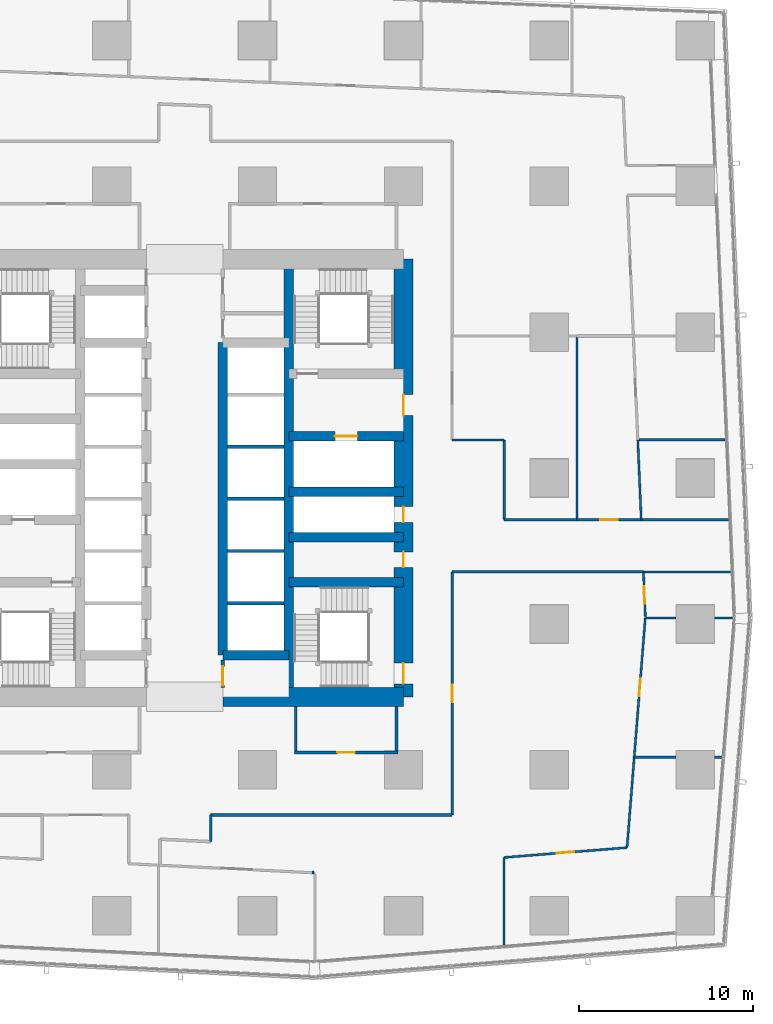
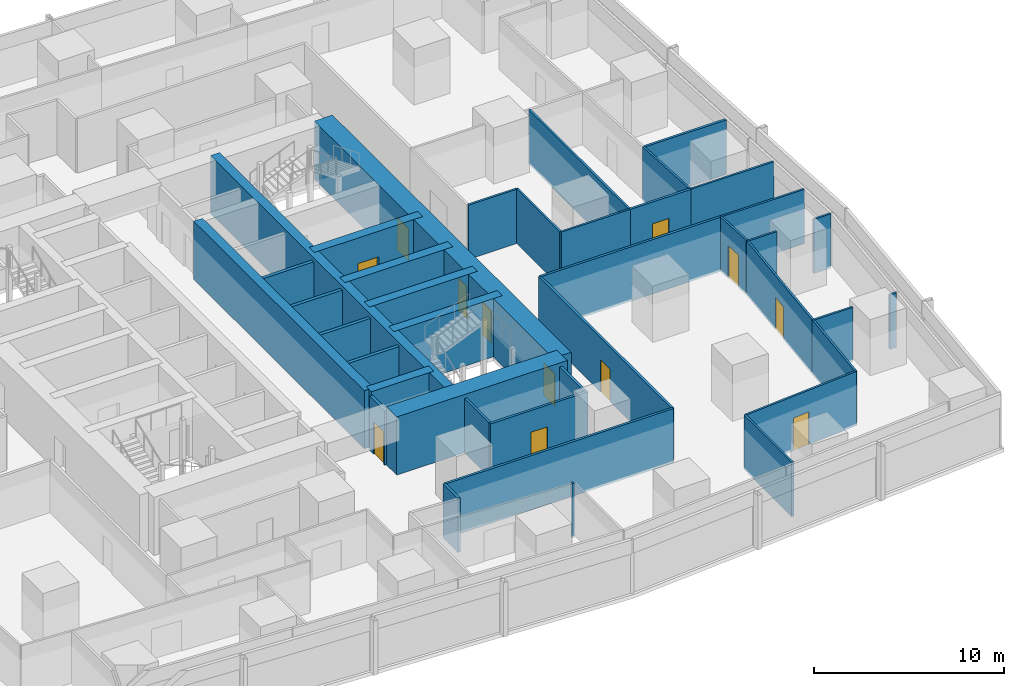
# One storey, part 33 of 44: 40 walls, 12 doors, 12 openings.
"""IFC4 building model written with IfcOpenShell, lengths in metres."""

from ifc_helpers import new_model, si_unit, direction, frame, frame_2d, origin, place, context, subcontext, project, spatial, rectangle, extrude, material, layer, layer_set, type_object, element, fill, save


model = new_model("IFC4")

# Units and contexts
model_context = context("Model", 3, precision=1e-05, world=origin(), true_north=direction((0.0, 1.0)))
body_context = subcontext(model_context, "Body", "Model", "MODEL_VIEW")
ifc_project = project(units=[si_unit("LENGTHUNIT", "METRE"), si_unit("AREAUNIT", "SQUARE_METRE"), si_unit("VOLUMEUNIT", "CUBIC_METRE"), si_unit("PLANEANGLEUNIT", "RADIAN"), si_unit("MASSUNIT", "GRAM", prefix="KILO")], contexts=[model_context])

# Site, building, storey
site_placement = place(None, origin())
site = spatial("IfcSite", under=ifc_project, at=site_placement, CompositionType="ELEMENT")
building_placement = place(site_placement, origin())
building = spatial("IfcBuilding", under=site, at=building_placement, Name="Rekha Terrace Tower", CompositionType="ELEMENT")
storey_placement = place(building_placement, frame((0.0, 0.0, 62.89990234375)))
storey = spatial("IfcBuildingStorey", under=building, at=storey_placement, Name="L15", CompositionType="ELEMENT", Elevation=62.89990234375)

# Walls
ifc_material_1 = material(Name="Concrete M70", Category="concrete")
ifc_layer_1 = layer(ifc_material_1, 0.550048828125)
ifc_layer_set_1 = layer_set([ifc_layer_1], Name="Concrete M70")
wall_type_1 = type_object("IfcWallType", Name="CI1 550 core internal shear wall", PredefinedType="SHEAR", material=ifc_layer_set_1)
wall_1_placement = place(storey_placement, frame((43.800048828125, 21.0, 0.0), z_axis=(0.0, 0.0, 1.0), x_axis=(0.0, 1.0, 0.0)))
element("IfcWall", 1, at=wall_1_placement, inside=storey, type_object=wall_type_1, Name="Core wall X438 L15", PredefinedType="SHEAR", context=body_context, shape_type="SweptSolid", body=[
    extrude(rectangle(XDim=25.199951171875, YDim=0.550048828125, at=frame_2d((12.60009765625, 0.0))), origin(), (0.0, 0.0, 1.0), 3.75),
])
wall_2_placement = place(storey_placement, frame((40.0, 23.39990234375, 0.0), z_axis=(0.0, 0.0, 1.0), x_axis=(0.0, 1.0, 0.0)))
element("IfcWall", 2, at=wall_2_placement, inside=storey, type_object=wall_type_1, Name="Core wall X400 L15", PredefinedType="SHEAR", context=body_context, shape_type="SweptSolid", body=[
    extrude(rectangle(XDim=18.0, YDim=0.550048828125, at=frame_2d((9.0, 0.0))), origin(), (0.0, 0.0, 1.0), 3.75),
])
wall_3_placement = place(storey_placement, frame((40.0, 23.39990234375, 0.0), z_axis=(0.0, 0.0, 1.0), x_axis=(1.0, 0.0, 0.0)))
element("IfcWall", 3, at=wall_3_placement, inside=storey, type_object=wall_type_1, Name="Core wall Y234E L15", PredefinedType="SHEAR", context=body_context, shape_type="SweptSolid", body=[
    extrude(rectangle(XDim=3.800048828125, YDim=0.550048828125, at=frame_2d((1.89990234375, 0.0))), origin(), (0.0, 0.0, 1.0), 3.75),
])
for number, where, z_axis, x_axis, name in (
    (4, (43.800048828125, 27.60009765625, 0.0), (0.0, 0.0, 1.0), (1.0, 0.0, 0.0), "Core wall Y276E L15"),
    (5, (43.800048828125, 30.199951171875, 0.0), (0.0, 0.0, 1.0), (1.0, 0.0, 0.0), "Core wall Y302E L15"),
    (6, (43.800048828125, 32.800048828125, 0.0), (0.0, 0.0, 1.0), (1.0, 0.0, 0.0), "Core wall Y328E L15"),
):
    element("IfcWall", number, at=place(storey_placement, frame(where, z_axis=z_axis, x_axis=x_axis)), inside=storey, type_object=wall_type_1, Name=name, PredefinedType="SHEAR", context=body_context, shape_type="SweptSolid", body=[
        extrude(rectangle(XDim=6.599853515625, YDim=0.550048828125, at=frame_2d((3.2998046875, 0.0))), origin(), (0.0, 0.0, 1.0), 3.75),
    ])

# Wall, opening, door
wall_4_placement = place(storey_placement, frame((43.800048828125, 36.0, 0.0), z_axis=(0.0, 0.0, 1.0), x_axis=(1.0, 0.0, 0.0)))
wall_4 = element("IfcWall", 7, at=wall_4_placement, inside=storey, type_object=wall_type_1, Name="Core wall Y360E L15", PredefinedType="SHEAR", context=body_context, shape_type="SweptSolid", body=[
    extrude(rectangle(XDim=6.599853515625, YDim=0.550048828125, at=frame_2d((3.2998046875, 0.0))), origin(), (0.0, 0.0, 1.0), 3.75),
])
opening_1_placement = place(wall_4_placement, frame((2.64990234375, 0.0, 0.0)))
opening_1 = element("IfcOpeningElement", 8, at=opening_1_placement, cuts=wall_4, Name="Opening LD2", PredefinedType="OPENING", context=body_context, shape_type="SweptSolid", body=[
    extrude(rectangle(XDim=1.300048828125, YDim=2.10009765625, at=frame_2d((0.64990234375, 1.050048828125))), frame((0.0, 0.284912109375, 0.0), z_axis=(0.0, -1.0, 0.0), x_axis=(1.0, 0.0, 0.0)), (0.0, 0.0, 1.0), 0.570068359375),
])
ifc_material_2 = material(Name="Stainless steel sliding landing door", Category="steel")
door_type_1 = type_object("IfcDoorType", Name="LD2 1300x2100 fire lift landing door", OperationType="SLIDING_TO_LEFT", PredefinedType="USERDEFINED", material=ifc_material_2)
door_1_placement = place(opening_1_placement, origin())
door_1 = element("IfcDoor", 9, at=door_1_placement, inside=storey, type_object=door_type_1, Name="Lift FL2 landing door L15", ObjectType="LIFT LANDING DOOR", OperationType="SLIDING_TO_LEFT", OverallHeight=2.10009765625, OverallWidth=1.300048828125, PredefinedType="USERDEFINED", context=body_context, shape_type="SweptSolid", body=[
    extrude(rectangle(XDim=1.300048828125, YDim=2.10009765625, at=frame_2d((0.64990234375, 1.050048828125))), frame((0.0, 0.02490234375, 0.0), z_axis=(0.0, -1.0, 0.0), x_axis=(1.0, 0.0, 0.0)), (0.0, 0.0, 1.0), 0.050048828125),
])
fill(opening_1, door_1)

# Wall
ifc_layer_2 = layer(ifc_material_1, 1.10009765625)
ifc_layer_set_2 = layer_set([ifc_layer_2], Name="Concrete M70")
wall_type_2 = type_object("IfcWallType", Name="SW1 1100 core outer shear wall", PredefinedType="SHEAR", material=ifc_layer_set_2)
wall_5_placement = place(storey_placement, frame((40.0, 21.0, 0.0), z_axis=(0.0, 0.0, 1.0), x_axis=(1.0, 0.0, 0.0)))
element("IfcWall", 10, at=wall_5_placement, inside=storey, type_object=wall_type_2, Name="Core wall S2 L15", PredefinedType="SHEAR", context=body_context, shape_type="SweptSolid", body=[
    extrude(rectangle(XDim=10.39990234375, YDim=1.10009765625, at=frame_2d((5.199951171875, 0.0))), origin(), (0.0, 0.0, 1.0), 3.75),
])

# Wall, openings, doors
wall_6_placement = place(storey_placement, frame((50.39990234375, 21.0, 0.0), z_axis=(0.0, 0.0, 1.0), x_axis=(0.0, 1.0, 0.0)))
wall_6 = element("IfcWall", 11, at=wall_6_placement, inside=storey, type_object=wall_type_2, Name="Core wall E L15", PredefinedType="SHEAR", context=body_context, shape_type="SweptSolid", body=[
    extrude(rectangle(XDim=25.199951171875, YDim=1.10009765625, at=frame_2d((12.60009765625, 0.0))), origin(), (0.0, 0.0, 1.0), 3.75),
])
opening_2_placement = place(wall_6_placement, frame((16.199951171875, 0.0, 0.0)))
opening_2 = element("IfcOpeningElement", 12, at=opening_2_placement, cuts=wall_6, Name="Opening D2", PredefinedType="OPENING", context=body_context, shape_type="SweptSolid", body=[
    extrude(rectangle(XDim=1.199951171875, YDim=2.10009765625, at=frame_2d((0.60009765625, 1.050048828125))), frame((0.0, 0.56005859375, 0.0), z_axis=(0.0, -1.0, 0.0), x_axis=(1.0, 0.0, 0.0)), (0.0, 0.0, 1.0), 1.1201171875),
])
opening_3_placement = place(wall_6_placement, frame((10.050048828125, 0.0, 0.0)))
opening_3 = element("IfcOpeningElement", 13, at=opening_3_placement, cuts=wall_6, Name="Opening D5", PredefinedType="OPENING", context=body_context, shape_type="SweptSolid", body=[
    extrude(rectangle(XDim=0.89990234375, YDim=2.10009765625, at=frame_2d((0.449951171875, 1.050048828125))), frame((0.0, 0.56005859375, 0.0), z_axis=(0.0, -1.0, 0.0), x_axis=(1.0, 0.0, 0.0)), (0.0, 0.0, 1.0), 1.1201171875),
])
opening_4_placement = place(wall_6_placement, frame((7.449951171875, 0.0, 0.0)))
opening_4 = element("IfcOpeningElement", 14, at=opening_4_placement, cuts=wall_6, Name="Opening D5", PredefinedType="OPENING", context=body_context, shape_type="SweptSolid", body=[
    extrude(rectangle(XDim=0.89990234375, YDim=2.10009765625, at=frame_2d((0.449951171875, 1.050048828125))), frame((0.0, 0.56005859375, 0.0), z_axis=(0.0, -1.0, 0.0), x_axis=(1.0, 0.0, 0.0)), (0.0, 0.0, 1.0), 1.1201171875),
])
opening_5_placement = place(wall_6_placement, frame((0.75, 0.0, 0.0)))
opening_5 = element("IfcOpeningElement", 15, at=opening_5_placement, cuts=wall_6, Name="Opening D1", PredefinedType="OPENING", context=body_context, shape_type="SweptSolid", body=[
    extrude(rectangle(XDim=1.199951171875, YDim=2.10009765625, at=frame_2d((0.60009765625, 1.050048828125))), frame((0.0, 0.56005859375, 0.0), z_axis=(0.0, -1.0, 0.0), x_axis=(1.0, 0.0, 0.0)), (0.0, 0.0, 1.0), 1.1201171875),
])
ifc_material_3 = material(Name="Steel fire door", Category="steel")
door_type_2 = type_object("IfcDoorType", Name="D1 1200x2100 stair fire door", OperationType="SINGLE_SWING_RIGHT", PredefinedType="DOOR", material=ifc_material_3)
door_2_placement = place(opening_5_placement, origin())
door_2 = element("IfcDoor", 16, at=door_2_placement, inside=storey, type_object=door_type_2, Name="Stair ST3 door L15", OperationType="SINGLE_SWING_RIGHT", OverallHeight=2.10009765625, OverallWidth=1.199951171875, PredefinedType="DOOR", context=body_context, shape_type="SweptSolid", body=[
    extrude(rectangle(XDim=1.199951171875, YDim=2.10009765625, at=frame_2d((0.60009765625, 1.050048828125))), frame((0.0, 0.02490234375, 0.0), z_axis=(0.0, -1.0, 0.0), x_axis=(1.0, 0.0, 0.0)), (0.0, 0.0, 1.0), 0.050048828125),
])
fill(opening_5, door_2)
door_type_3 = type_object("IfcDoorType", Name="D2 1200x2100 firefighting lobby door", OperationType="SINGLE_SWING_LEFT", PredefinedType="DOOR", material=ifc_material_3)
door_3_placement = place(opening_2_placement, origin())
door_3 = element("IfcDoor", 17, at=door_3_placement, inside=storey, type_object=door_type_3, Name="Door flb2 L15", OperationType="SINGLE_SWING_LEFT", OverallHeight=2.10009765625, OverallWidth=1.199951171875, PredefinedType="DOOR", context=body_context, shape_type="SweptSolid", body=[
    extrude(rectangle(XDim=1.199951171875, YDim=2.10009765625, at=frame_2d((0.60009765625, 1.050048828125))), frame((0.0, 0.02490234375, 0.0), z_axis=(0.0, -1.0, 0.0), x_axis=(1.0, 0.0, 0.0)), (0.0, 0.0, 1.0), 0.050048828125),
])
fill(opening_2, door_3)
door_type_4 = type_object("IfcDoorType", Name="D5 900x2100 riser access door", OperationType="SINGLE_SWING_LEFT", PredefinedType="DOOR", material=ifc_material_3)
door_4_placement = place(opening_3_placement, origin())
door_4 = element("IfcDoor", 18, at=door_4_placement, inside=storey, type_object=door_type_4, Name="Door rs2 L15", OperationType="SINGLE_SWING_LEFT", OverallHeight=2.10009765625, OverallWidth=0.89990234375, PredefinedType="DOOR", context=body_context, shape_type="SweptSolid", body=[
    extrude(rectangle(XDim=0.89990234375, YDim=2.10009765625, at=frame_2d((0.449951171875, 1.050048828125))), frame((0.0, 0.02490234375, 0.0), z_axis=(0.0, -1.0, 0.0), x_axis=(1.0, 0.0, 0.0)), (0.0, 0.0, 1.0), 0.050048828125),
])
fill(opening_3, door_4)
door_5_placement = place(opening_4_placement, origin())
door_5 = element("IfcDoor", 19, at=door_5_placement, inside=storey, type_object=door_type_4, Name="Door ele L15", OperationType="SINGLE_SWING_LEFT", OverallHeight=2.10009765625, OverallWidth=0.89990234375, PredefinedType="DOOR", context=body_context, shape_type="SweptSolid", body=[
    extrude(rectangle(XDim=0.89990234375, YDim=2.10009765625, at=frame_2d((0.449951171875, 1.050048828125))), frame((0.0, 0.02490234375, 0.0), z_axis=(0.0, -1.0, 0.0), x_axis=(1.0, 0.0, 0.0)), (0.0, 0.0, 1.0), 0.050048828125),
])
fill(opening_4, door_5)

# Wall, opening, door
ifc_material_4 = material(Name="Concrete block masonry, 1 hour", Category="masonry")
ifc_layer_3 = layer(ifc_material_4, 0.14990234375)
ifc_layer_set_3 = layer_set([ifc_layer_3], Name="Concrete block masonry, 1 hour")
wall_type_3 = type_object("IfcWallType", Name="WP2 150 tenancy partition", PredefinedType="PARTITIONING", material=ifc_layer_set_3)
wall_7_placement = place(storey_placement, frame((44.125, 17.800048828125, 0.0), z_axis=(0.0, 0.0, 1.0), x_axis=(1.0, 0.0, 0.0)))
wall_7 = element("IfcWall", 20, at=wall_7_placement, inside=storey, type_object=wall_type_3, Name="Men's WC wall L15", PredefinedType="PARTITIONING", context=body_context, shape_type="SweptSolid", body=[
    extrude(rectangle(XDim=5.949951171875, YDim=0.14990234375, at=frame_2d((2.97509765625, 0.0))), origin(), (0.0, 0.0, 1.0), 3.5),
])
opening_6_placement = place(wall_7_placement, frame((2.47509765625, 0.0, 0.0)))
opening_6 = element("IfcOpeningElement", 21, at=opening_6_placement, cuts=wall_7, Name="Opening D3", PredefinedType="OPENING", context=body_context, shape_type="SweptSolid", body=[
    extrude(rectangle(XDim=1.0, YDim=2.10009765625, at=frame_2d((0.5, 1.050048828125))), frame((0.0, 0.0849609375, 0.0), z_axis=(0.0, -1.0, 0.0), x_axis=(1.0, 0.0, 0.0)), (0.0, 0.0, 1.0), 0.169921875),
])
ifc_material_5 = material(Name="Laminated timber fire door", Category="wood")
door_type_5 = type_object("IfcDoorType", Name="D3 1000x2100 WC door", OperationType="SINGLE_SWING_LEFT", PredefinedType="DOOR", material=ifc_material_5)
door_6_placement = place(opening_6_placement, origin())
door_6 = element("IfcDoor", 22, at=door_6_placement, inside=storey, type_object=door_type_5, Name="Door men's wc L15", OperationType="SINGLE_SWING_LEFT", OverallHeight=2.10009765625, OverallWidth=1.0, PredefinedType="DOOR", context=body_context, shape_type="SweptSolid", body=[
    extrude(rectangle(XDim=1.0, YDim=2.10009765625, at=frame_2d((0.5, 1.050048828125))), frame((0.0, 0.02490234375, 0.0), z_axis=(0.0, -1.0, 0.0), x_axis=(1.0, 0.0, 0.0)), (0.0, 0.0, 1.0), 0.050048828125),
])
fill(opening_6, door_6)

# Walls
for number, where, z_axis, x_axis, name in (
    (23, (44.199951171875, 17.875, 0.0), (0.0, 0.0, 1.0), (0.0, 1.0, 0.0), "Men's WC wall L15"),
    (24, (50.0, 17.875, 0.0), (0.0, 0.0, 1.0), (0.0, 1.0, 0.0), "Men's WC wall L15"),
):
    element("IfcWall", number, at=place(storey_placement, frame(where, z_axis=z_axis, x_axis=x_axis)), inside=storey, type_object=wall_type_3, Name=name, PredefinedType="PARTITIONING", context=body_context, shape_type="SweptSolid", body=[
        extrude(rectangle(XDim=2.574951171875, YDim=0.14990234375, at=frame_2d((1.28759765625, 0.0))), origin(), (0.0, 0.0, 1.0), 3.5),
    ])
wall_8_placement = place(storey_placement, frame((39.300048828125, 12.6630859375, 0.0), z_axis=(0.0, 0.0, 1.0), x_axis=(0.0, 1.0, 0.0)))
element("IfcWall", 25, at=wall_8_placement, inside=storey, type_object=wall_type_3, Name="Partition L15-O1", PredefinedType="PARTITIONING", context=body_context, shape_type="SweptSolid", body=[
    extrude(rectangle(XDim=1.536865234375, YDim=0.14990234375, at=frame_2d((0.7685546875, 0.0))), origin(), (0.0, 0.0, 1.0), 3.5),
])
wall_9_placement = place(storey_placement, frame((39.300048828125, 14.199951171875, 0.0), z_axis=(0.0, 0.0, 1.0), x_axis=(1.0, 0.0, 0.0)))
element("IfcWall", 26, at=wall_9_placement, inside=storey, type_object=wall_type_3, Name="Partition L15-O1", PredefinedType="PARTITIONING", context=body_context, shape_type="SweptSolid", body=[
    extrude(rectangle(XDim=13.89990234375, YDim=0.14990234375, at=frame_2d((6.949951171875, 0.0))), origin(), (0.0, 0.0, 1.0), 3.5),
])

# Wall, opening, door
wall_10_placement = place(storey_placement, frame((53.199951171875, 14.199951171875, 0.0), z_axis=(0.0, 0.0, 1.0), x_axis=(0.0, 1.0, 0.0)))
wall_10 = element("IfcWall", 27, at=wall_10_placement, inside=storey, type_object=wall_type_3, Name="Partition L15-O1", PredefinedType="PARTITIONING", context=body_context, shape_type="SweptSolid", body=[
    extrude(rectangle(XDim=14.0, YDim=0.14990234375, at=frame_2d((7.0, 0.0))), origin(), (0.0, 0.0, 1.0), 3.5),
])
opening_7_placement = place(wall_10_placement, frame((6.5, 0.0, 0.0)))
opening_7 = element("IfcOpeningElement", 28, at=opening_7_placement, cuts=wall_10, Name="Opening D9", PredefinedType="OPENING", context=body_context, shape_type="SweptSolid", body=[
    extrude(rectangle(XDim=1.0, YDim=2.10009765625, at=frame_2d((0.5, 1.050048828125))), frame((0.0, 0.0849609375, 0.0), z_axis=(0.0, -1.0, 0.0), x_axis=(1.0, 0.0, 0.0)), (0.0, 0.0, 1.0), 0.169921875),
])
ifc_material_6 = material(Name="Timber fire door", Category="wood")
door_type_6 = type_object("IfcDoorType", Name="D9 1000x2100 office door", OperationType="SINGLE_SWING_LEFT", PredefinedType="DOOR", material=ifc_material_6)
door_7_placement = place(opening_7_placement, origin())
door_7 = element("IfcDoor", 29, at=door_7_placement, inside=storey, type_object=door_type_6, Name="Door open-plan office L15", OperationType="SINGLE_SWING_LEFT", OverallHeight=2.10009765625, OverallWidth=1.0, PredefinedType="DOOR", context=body_context, shape_type="SweptSolid", body=[
    extrude(rectangle(XDim=1.0, YDim=2.10009765625, at=frame_2d((0.5, 1.050048828125))), frame((0.0, 0.02490234375, 0.0), z_axis=(0.0, -1.0, 0.0), x_axis=(1.0, 0.0, 0.0)), (0.0, 0.0, 1.0), 0.050048828125),
])
fill(opening_7, door_7)

# Walls
wall_11_placement = place(storey_placement, frame((53.199951171875, 28.199951171875, 0.0), z_axis=(0.0, 0.0, 1.0), x_axis=(1.0, 0.0, 0.0)))
element("IfcWall", 30, at=wall_11_placement, inside=storey, type_object=wall_type_3, Name="Partition L15-O1", PredefinedType="PARTITIONING", context=body_context, shape_type="SweptSolid", body=[
    extrude(rectangle(XDim=11.01904296875, YDim=0.14990234375, at=frame_2d((5.509521484375, 0.0))), origin(), (0.0, 0.0, 1.0), 3.5),
])
wall_12_placement = place(storey_placement, frame((63.9560546875, 35.799072265625, 0.0), z_axis=(0.0, 0.0, 1.0), x_axis=(1.0, 0.0, 0.0)))
element("IfcWall", 31, at=wall_12_placement, inside=storey, type_object=wall_type_3, Name="Partition L15-O2", PredefinedType="PARTITIONING", context=body_context, shape_type="SweptSolid", body=[
    extrude(rectangle(XDim=4.962890625, YDim=0.14990234375, at=frame_2d((2.4814453125, 0.0))), origin(), (0.0, 0.0, 1.0), 3.5),
])

# Wall, opening, door
wall_13_placement = place(storey_placement, frame((64.091064453125, 31.199951171875, 0.0), z_axis=(0.0, 0.0, 1.0), x_axis=(-1.0, 0.0, 0.0)))
wall_13 = element("IfcWall", 32, at=wall_13_placement, inside=storey, type_object=wall_type_3, Name="Partition L15-O2", PredefinedType="PARTITIONING", context=body_context, shape_type="SweptSolid", body=[
    extrude(rectangle(XDim=3.691162109375, YDim=0.14990234375, at=frame_2d((1.845703125, 0.0))), origin(), (0.0, 0.0, 1.0), 3.5),
])
opening_8_placement = place(wall_13_placement, frame((1.345947265625, 0.0, 0.0)))
opening_8 = element("IfcOpeningElement", 33, at=opening_8_placement, cuts=wall_13, Name="Opening D9", PredefinedType="OPENING", context=body_context, shape_type="SweptSolid", body=[
    extrude(rectangle(XDim=1.0, YDim=2.10009765625, at=frame_2d((0.5, 1.050048828125))), frame((0.0, 0.0849609375, 0.0), z_axis=(0.0, -1.0, 0.0), x_axis=(1.0, 0.0, 0.0)), (0.0, 0.0, 1.0), 0.169921875),
])
door_8_placement = place(opening_8_placement, origin())
door_8 = element("IfcDoor", 34, at=door_8_placement, inside=storey, type_object=door_type_6, Name="Door open-plan office L15", OperationType="SINGLE_SWING_LEFT", OverallHeight=2.10009765625, OverallWidth=1.0, PredefinedType="DOOR", context=body_context, shape_type="SweptSolid", body=[
    extrude(rectangle(XDim=1.0, YDim=2.10009765625, at=frame_2d((0.5, 1.050048828125))), frame((0.0, 0.02490234375, 0.0), z_axis=(0.0, -1.0, 0.0), x_axis=(1.0, 0.0, 0.0)), (0.0, 0.0, 1.0), 0.050048828125),
])
fill(opening_8, door_8)

# Walls
ifc_material_7 = material(Name="Two layers of fire-rated gypsum board each side on steel studs, acoustic quilt, 1 hour", Category="steel")
ifc_layer_4 = layer(ifc_material_7, 0.125)
ifc_layer_set_4 = layer_set([ifc_layer_4], Name="Two layers of fire-rated gypsum board each side on steel studs, acoustic quilt, 1 hour")
wall_type_4 = type_object("IfcWallType", Name="WP3 125 office partition", PredefinedType="PARTITIONING", material=ifc_layer_set_4)
wall_14_placement = place(storey_placement, frame((63.68798828125, 17.52294921875, 0.0), z_axis=(0.0, 0.0, 1.0), x_axis=(1.0, 0.0, 0.0)))
element("IfcWall", 35, at=wall_14_placement, inside=storey, type_object=wall_type_4, Name="Partition L15-03", PredefinedType="PARTITIONING", context=body_context, shape_type="SweptSolid", body=[
    extrude(rectangle(XDim=2.39208984375, YDim=0.125, at=frame_2d((1.196044921875, 0.0))), origin(), (0.0, 0.0, 1.0), 3.5),
])
wall_15_placement = place(storey_placement, frame((68.320068359375, 17.52294921875, 0.0), z_axis=(0.0, 0.0, 1.0), x_axis=(1.0, 0.0, 0.0)))
element("IfcWall", 36, at=wall_15_placement, inside=storey, type_object=wall_type_4, Name="Partition L15-03", PredefinedType="PARTITIONING", context=body_context, shape_type="SweptSolid", body=[
    extrude(rectangle(XDim=0.40283203125, YDim=0.125, at=frame_2d((0.201416015625, 0.0))), origin(), (0.0, 0.0, 1.0), 3.5),
])
wall_16_placement = place(storey_placement, frame((56.197021484375, 6.717041015625, 0.0), z_axis=(0.0, 0.0, 1.0), x_axis=(0.0, 1.0, 0.0)))
element("IfcWall", 37, at=wall_16_placement, inside=storey, type_object=wall_type_4, Name="Partition L15-03", PredefinedType="PARTITIONING", context=body_context, shape_type="SweptSolid", body=[
    extrude(rectangle(XDim=5.036865234375, YDim=0.125, at=frame_2d((2.5185546875, 0.0))), origin(), (0.0, 0.0, 1.0), 3.5),
])

# Wall, opening, door
wall_17_placement = place(storey_placement, frame((56.197021484375, 11.75390625, 0.0), z_axis=(0.0, 0.0, 1.0), x_axis=(0.996805103047, 0.079872313973, 0.0)))
wall_17 = element("IfcWall", 38, at=wall_17_placement, inside=storey, type_object=wall_type_4, Name="Partition L15-03", PredefinedType="PARTITIONING", context=body_context, shape_type="SweptSolid", body=[
    extrude(rectangle(XDim=7.1005859375, YDim=0.125, at=frame_2d((3.55029296875, 0.0))), origin(), (0.0, 0.0, 1.0), 3.5),
])
opening_9_placement = place(wall_17_placement, frame((3.050048828125, 0.0, 0.0)))
opening_9 = element("IfcOpeningElement", 39, at=opening_9_placement, cuts=wall_17, Name="Opening D9", PredefinedType="OPENING", context=body_context, shape_type="SweptSolid", body=[
    extrude(rectangle(XDim=1.0, YDim=2.10009765625, at=frame_2d((0.5, 1.050048828125))), frame((0.0, 0.072509765625, 0.0), z_axis=(0.0, -1.0, 0.0), x_axis=(1.0, 0.0, 0.0)), (0.0, 0.0, 1.0), 0.14501953125),
])
door_9_placement = place(opening_9_placement, origin())
door_9 = element("IfcDoor", 40, at=door_9_placement, inside=storey, type_object=door_type_6, Name="Door director's office L15", OperationType="SINGLE_SWING_LEFT", OverallHeight=2.10009765625, OverallWidth=1.0, PredefinedType="DOOR", context=body_context, shape_type="SweptSolid", body=[
    extrude(rectangle(XDim=1.0, YDim=2.10009765625, at=frame_2d((0.5, 1.050048828125))), frame((0.0, 0.02490234375, 0.0), z_axis=(0.0, -1.0, 0.0), x_axis=(1.0, 0.0, 0.0)), (0.0, 0.0, 1.0), 0.050048828125),
])
fill(opening_9, door_9)

# Wall
wall_18_placement = place(storey_placement, frame((63.27490234375, 12.321044921875, 0.0), z_axis=(0.0, 0.0, 1.0), x_axis=(0.079161317755, 0.996861818795, 0.0)))
element("IfcWall", 41, at=wall_18_placement, inside=storey, type_object=wall_type_4, Name="Partition L15-03", PredefinedType="PARTITIONING", context=body_context, shape_type="SweptSolid", body=[
    extrude(rectangle(XDim=5.21826171875, YDim=0.125, at=frame_2d((2.609130859375, 0.0))), origin(), (0.0, 0.0, 1.0), 3.5),
])

# Wall, opening, door
wall_19_placement = place(storey_placement, frame((63.68798828125, 17.52392578125, 0.0), z_axis=(0.0, 0.0, 1.0), x_axis=(0.079102910118, 0.996866455254, 0.0)))
wall_19 = element("IfcWall", 42, at=wall_19_placement, inside=storey, type_object=wall_type_4, Name="Partition L15-04", PredefinedType="PARTITIONING", context=body_context, shape_type="SweptSolid", body=[
    extrude(rectangle(XDim=8.05224609375, YDim=0.125, at=frame_2d((4.026123046875, 0.0))), origin(), (0.0, 0.0, 1.0), 3.5),
])
opening_10_placement = place(wall_19_placement, frame((3.52587890625, 0.0, 0.0)))
opening_10 = element("IfcOpeningElement", 43, at=opening_10_placement, cuts=wall_19, Name="Opening D9", PredefinedType="OPENING", context=body_context, shape_type="SweptSolid", body=[
    extrude(rectangle(XDim=1.0, YDim=2.10009765625, at=frame_2d((0.5, 1.050048828125))), frame((0.0, 0.072509765625, 0.0), z_axis=(0.0, -1.0, 0.0), x_axis=(1.0, 0.0, 0.0)), (0.0, 0.0, 1.0), 0.14501953125),
])
door_10_placement = place(opening_10_placement, origin())
door_10 = element("IfcDoor", 44, at=door_10_placement, inside=storey, type_object=door_type_6, Name="Door office L15", OperationType="SINGLE_SWING_LEFT", OverallHeight=2.10009765625, OverallWidth=1.0, PredefinedType="DOOR", context=body_context, shape_type="SweptSolid", body=[
    extrude(rectangle(XDim=1.0, YDim=2.10009765625, at=frame_2d((0.5, 1.050048828125))), frame((0.0, 0.02490234375, 0.0), z_axis=(0.0, -1.0, 0.0), x_axis=(1.0, 0.0, 0.0)), (0.0, 0.0, 1.0), 0.050048828125),
])
fill(opening_10, door_10)

# Walls
wall_20_placement = place(storey_placement, frame((64.324951171875, 25.551025390625, 0.0), z_axis=(0.0, 0.0, 1.0), x_axis=(1.0, 0.0, 0.0)))
element("IfcWall", 45, at=wall_20_placement, inside=storey, type_object=wall_type_4, Name="Partition L15-04", PredefinedType="PARTITIONING", context=body_context, shape_type="SweptSolid", body=[
    extrude(rectangle(XDim=1.755126953125, YDim=0.125, at=frame_2d((0.87744140625, 0.0))), origin(), (0.0, 0.0, 1.0), 3.5),
])
wall_21_placement = place(storey_placement, frame((68.320068359375, 25.551025390625, 0.0), z_axis=(0.0, 0.0, 1.0), x_axis=(1.0, 0.0, 0.0)))
element("IfcWall", 46, at=wall_21_placement, inside=storey, type_object=wall_type_4, Name="Partition L15-04", PredefinedType="PARTITIONING", context=body_context, shape_type="SweptSolid", body=[
    extrude(rectangle(XDim=1.036865234375, YDim=0.125, at=frame_2d((0.5185546875, 0.0))), origin(), (0.0, 0.0, 1.0), 3.5),
])
wall_22_placement = place(storey_placement, frame((64.218994140625, 28.199951171875, 0.0), z_axis=(0.0, 0.0, 1.0), x_axis=(1.0, 0.0, 0.0)))
element("IfcWall", 47, at=wall_22_placement, inside=storey, type_object=wall_type_4, Name="Partition L15-05", PredefinedType="PARTITIONING", context=body_context, shape_type="SweptSolid", body=[
    extrude(rectangle(XDim=5.054931640625, YDim=0.125, at=frame_2d((2.52734375, 0.0))), origin(), (0.0, 0.0, 1.0), 3.5),
])

# Wall, opening, door
wall_23_placement = place(storey_placement, frame((64.3291015625, 25.613037109375, 0.0), z_axis=(0.0, 0.0, 1.0), x_axis=(-0.042524729329, 0.99909541456, 0.0)))
wall_23 = element("IfcWall", 48, at=wall_23_placement, inside=storey, type_object=wall_type_4, Name="Partition L15-05", PredefinedType="PARTITIONING", context=body_context, shape_type="SweptSolid", body=[
    extrude(rectangle(XDim=2.58935546875, YDim=0.125, at=frame_2d((1.294677734375, 0.0))), origin(), (0.0, 0.0, 1.0), 3.5),
])
opening_11_placement = place(wall_23_placement, frame((0.761962890625, 0.0, 0.0)))
opening_11 = element("IfcOpeningElement", 49, at=opening_11_placement, cuts=wall_23, Name="Opening D9", PredefinedType="OPENING", context=body_context, shape_type="SweptSolid", body=[
    extrude(rectangle(XDim=1.0, YDim=2.10009765625, at=frame_2d((0.5, 1.050048828125))), frame((0.0, 0.072509765625, 0.0), z_axis=(0.0, -1.0, 0.0), x_axis=(1.0, 0.0, 0.0)), (0.0, 0.0, 1.0), 0.14501953125),
])
door_11_placement = place(opening_11_placement, origin())
door_11 = element("IfcDoor", 50, at=door_11_placement, inside=storey, type_object=door_type_6, Name="Door office L15", OperationType="SINGLE_SWING_LEFT", OverallHeight=2.10009765625, OverallWidth=1.0, PredefinedType="DOOR", context=body_context, shape_type="SweptSolid", body=[
    extrude(rectangle(XDim=1.0, YDim=2.10009765625, at=frame_2d((0.5, 1.050048828125))), frame((0.0, 0.02490234375, 0.0), z_axis=(0.0, -1.0, 0.0), x_axis=(1.0, 0.0, 0.0)), (0.0, 0.0, 1.0), 0.050048828125),
])
fill(opening_11, door_11)

# Walls
wall_24_placement = place(storey_placement, frame((69.14501953125, 31.199951171875, 0.0), z_axis=(0.0, 0.0, 1.0), x_axis=(-1.0, 0.0, 0.0)))
element("IfcWall", 51, at=wall_24_placement, inside=storey, type_object=wall_type_4, Name="Partition L15-11", PredefinedType="PARTITIONING", context=body_context, shape_type="SweptSolid", body=[
    extrude(rectangle(XDim=5.053955078125, YDim=0.125, at=frame_2d((2.52685546875, 0.0))), origin(), (0.0, 0.0, 1.0), 3.5),
])
wall_25_placement = place(storey_placement, frame((64.091064453125, 31.199951171875, 0.0), z_axis=(0.0, 0.0, 1.0), x_axis=(-0.042817838392, 0.999082895818, 0.0)))
element("IfcWall", 52, at=wall_25_placement, inside=storey, type_object=wall_type_4, Name="Partition L15-11", PredefinedType="PARTITIONING", context=body_context, shape_type="SweptSolid", body=[
    extrude(rectangle(XDim=4.601318359375, YDim=0.125, at=frame_2d((2.30078125, 0.0))), origin(), (0.0, 0.0, 1.0), 3.5),
])
wall_26_placement = place(storey_placement, frame((60.39990234375, 41.781005859375, 0.0), z_axis=(0.0, 0.0, 1.0), x_axis=(0.0, -1.0, 0.0)))
element("IfcWall", 53, at=wall_26_placement, inside=storey, type_object=wall_type_4, Name="Partition L15-12", PredefinedType="PARTITIONING", context=body_context, shape_type="SweptSolid", body=[
    extrude(rectangle(XDim=10.5810546875, YDim=0.125, at=frame_2d((5.29052734375, 0.0))), origin(), (0.0, 0.0, 1.0), 3.5),
])
wall_27_placement = place(storey_placement, frame((60.39990234375, 31.199951171875, 0.0), z_axis=(0.0, 0.0, 1.0), x_axis=(-1.0, 0.0, 0.0)))
element("IfcWall", 54, at=wall_27_placement, inside=storey, type_object=wall_type_4, Name="Partition L15-12", PredefinedType="PARTITIONING", context=body_context, shape_type="SweptSolid", body=[
    extrude(rectangle(XDim=4.199951171875, YDim=0.125, at=frame_2d((2.10009765625, 0.0))), origin(), (0.0, 0.0, 1.0), 3.5),
])
wall_28_placement = place(storey_placement, frame((56.199951171875, 31.199951171875, 0.0), z_axis=(0.0, 0.0, 1.0), x_axis=(0.0, 1.0, 0.0)))
element("IfcWall", 55, at=wall_28_placement, inside=storey, type_object=wall_type_4, Name="Partition L15-12", PredefinedType="PARTITIONING", context=body_context, shape_type="SweptSolid", body=[
    extrude(rectangle(XDim=4.60009765625, YDim=0.125, at=frame_2d((2.300048828125, 0.0))), origin(), (0.0, 0.0, 1.0), 3.5),
])
wall_29_placement = place(storey_placement, frame((56.199951171875, 35.800048828125, 0.0), z_axis=(0.0, 0.0, 1.0), x_axis=(-1.0, 0.0, 0.0)))
element("IfcWall", 56, at=wall_29_placement, inside=storey, type_object=wall_type_4, Name="Partition L15-12", PredefinedType="PARTITIONING", context=body_context, shape_type="SweptSolid", body=[
    extrude(rectangle(XDim=3.0, YDim=0.125, at=frame_2d((1.5, 0.0))), origin(), (0.0, 0.0, 1.0), 3.5),
])
wall_30_placement = place(storey_placement, frame((45.18994140625, 10.81005859375, 0.0), z_axis=(0.0, 0.0, 1.0), x_axis=(0.050013205413, 0.998748556587, 0.0)))
element("IfcWall", 57, at=wall_30_placement, inside=storey, type_object=wall_type_4, Name="Partition L15-02", PredefinedType="PARTITIONING", context=body_context, shape_type="SweptSolid", body=[
    extrude(rectangle(XDim=0.1611328125, YDim=0.125, at=frame_2d((0.08056640625, 0.0))), origin(), (0.0, 0.0, 1.0), 3.5),
])
ifc_material_8 = material(Name="Solid concrete block masonry, 2 hour", Category="masonry")
ifc_layer_5 = layer(ifc_material_8, 0.199951171875)
ifc_layer_set_5 = layer_set([ifc_layer_5], Name="Solid concrete block masonry, 2 hour")
wall_type_5 = type_object("IfcWallType", Name="WS1 200 stair and shaft enclosure", PredefinedType="PARTITIONING", material=ifc_layer_set_5)
for number, where, z_axis, x_axis, name in (
    (58, (40.27490234375, 26.39990234375, 0.0), (0.0, 0.0, 1.0), (1.0, 0.0, 0.0), "Lift shaft divider L15"),
    (59, (40.27490234375, 29.39990234375, 0.0), (0.0, 0.0, 1.0), (1.0, 0.0, 0.0), "Lift shaft divider L15"),
    (60, (40.27490234375, 32.39990234375, 0.0), (0.0, 0.0, 1.0), (1.0, 0.0, 0.0), "Lift shaft divider L15"),
    (61, (40.27490234375, 35.39990234375, 0.0), (0.0, 0.0, 1.0), (1.0, 0.0, 0.0), "Lift shaft divider L15"),
):
    element("IfcWall", number, at=place(storey_placement, frame(where, z_axis=z_axis, x_axis=x_axis)), inside=storey, type_object=wall_type_5, Name=name, PredefinedType="PARTITIONING", context=body_context, shape_type="SweptSolid", body=[
        extrude(rectangle(XDim=3.25, YDim=0.199951171875, at=frame_2d((1.625, 0.0))), origin(), (0.0, 0.0, 1.0), 3.5),
    ])

# Wall, opening, door
wall_31_placement = place(storey_placement, frame((40.0, 21.550048828125, 0.0), z_axis=(0.0, 0.0, 1.0), x_axis=(0.0, 1.0, 0.0)))
wall_31 = element("IfcWall", 62, at=wall_31_placement, inside=storey, type_object=wall_type_5, Name="Core partition wca L15", PredefinedType="PARTITIONING", context=body_context, shape_type="SweptSolid", body=[
    extrude(rectangle(XDim=1.574951171875, YDim=0.199951171875, at=frame_2d((0.78759765625, 0.0))), origin(), (0.0, 0.0, 1.0), 3.5),
])
opening_12_placement = place(wall_31_placement, frame((0.10009765625, 0.0, 0.0)))
opening_12 = element("IfcOpeningElement", 63, at=opening_12_placement, cuts=wall_31, Name="Opening D4", PredefinedType="OPENING", context=body_context, shape_type="SweptSolid", body=[
    extrude(rectangle(XDim=1.10009765625, YDim=2.10009765625, at=frame_2d((0.550048828125, 1.050048828125))), frame((0.0, 0.10986328125, 0.0), z_axis=(0.0, -1.0, 0.0), x_axis=(1.0, 0.0, 0.0)), (0.0, 0.0, 1.0), 0.219970703125),
])
door_type_7 = type_object("IfcDoorType", Name="D4 1100x2100 accessible WC door", OperationType="SLIDING_TO_LEFT", PredefinedType="DOOR", material=ifc_material_5)
door_12_placement = place(opening_12_placement, origin())
door_12 = element("IfcDoor", 64, at=door_12_placement, inside=storey, type_object=door_type_7, Name="Door wca L15", OperationType="SLIDING_TO_LEFT", OverallHeight=2.10009765625, OverallWidth=1.10009765625, PredefinedType="DOOR", context=body_context, shape_type="SweptSolid", body=[
    extrude(rectangle(XDim=1.10009765625, YDim=2.10009765625, at=frame_2d((0.550048828125, 1.050048828125))), frame((0.0, 0.02490234375, 0.0), z_axis=(0.0, -1.0, 0.0), x_axis=(1.0, 0.0, 0.0)), (0.0, 0.0, 1.0), 0.050048828125),
])
fill(opening_12, door_12)

save(model, "model.ifc")
